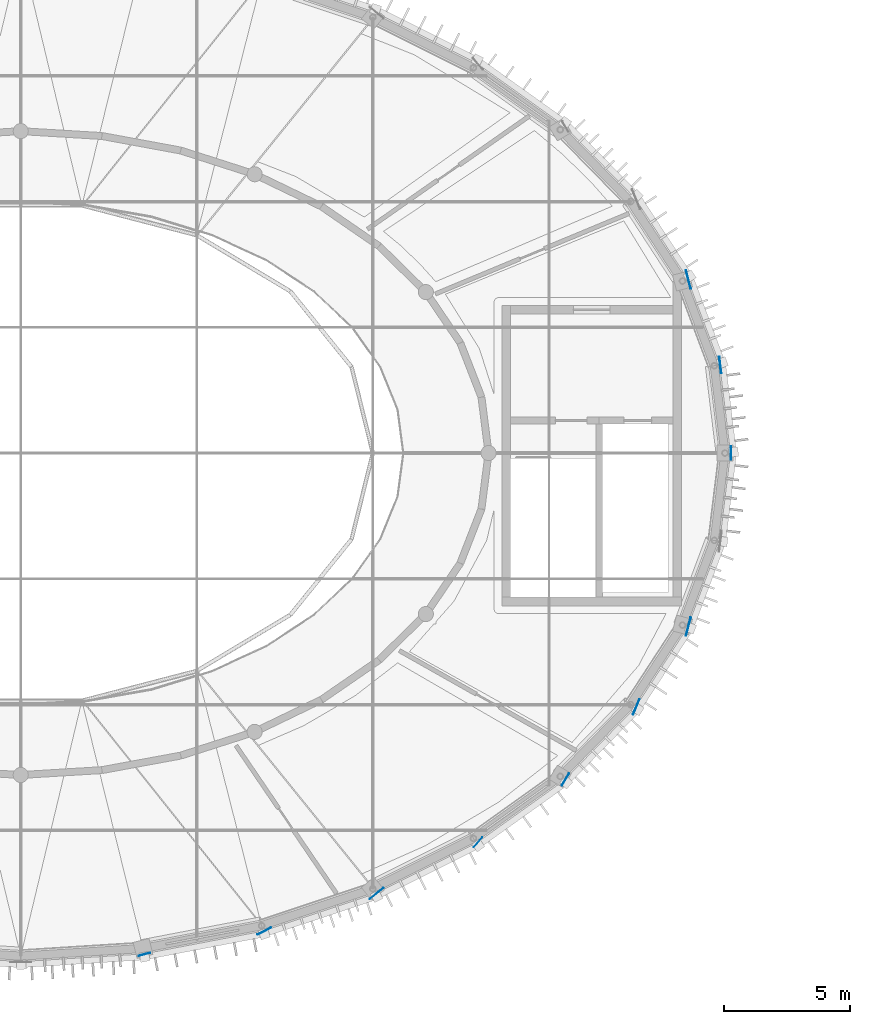
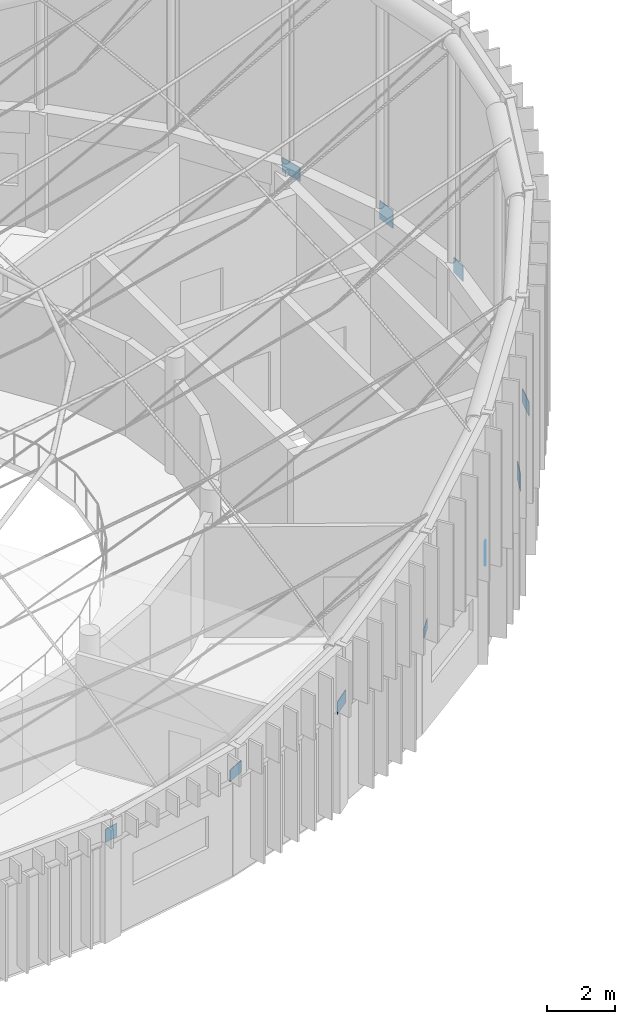
# One storey, part 22 of 36: 10 plates.
"""IFC4 building model written with IfcOpenShell, lengths in metres."""

from ifc_helpers import new_model, si_unit, direction, frame, origin, origin_2d, place, context, subcontext, project, spatial, rectangle, extrude, material, layer, layer_set, type_object, element, save


model = new_model("IFC4")

# Units and contexts
model_context = context("Model", 3, precision=1e-05, world=origin(), true_north=direction((0.0, 1.0)))
body_context = subcontext(model_context, "Body", "Model", "MODEL_VIEW")
ifc_project = project(units=[si_unit("LENGTHUNIT", "METRE"), si_unit("AREAUNIT", "SQUARE_METRE"), si_unit("VOLUMEUNIT", "CUBIC_METRE"), si_unit("PLANEANGLEUNIT", "RADIAN"), si_unit("MASSUNIT", "GRAM", prefix="KILO")], contexts=[model_context])

# Site, building, storey
site_placement = place(None, origin())
site = spatial("IfcSite", under=ifc_project, at=site_placement, CompositionType="ELEMENT")
building_placement = place(site_placement, origin())
building = spatial("IfcBuilding", under=site, at=building_placement, Name="Tarnveldt Headland Concert Hall", CompositionType="ELEMENT")
storey_placement = place(building_placement, frame((0.0, 0.0, 22.800048828125)))
storey = spatial("IfcBuildingStorey", under=building, at=storey_placement, Name="L05", CompositionType="ELEMENT", Elevation=22.800048828125)

# Plates
ifc_material = material(Name="Steel S355", Category="steel")
ifc_layer_1 = layer(ifc_material, 0.02392578125, Name="Steel S355", Category="steel")
ifc_layer_set_1 = layer_set([ifc_layer_1], Name="Steel S355")
plate_type_1 = type_object("IfcPlateType", Name="NP-01", PredefinedType="SHEET", material=ifc_layer_set_1)
for number, where, z_axis, x_axis, name in (
    (1, (111.739990234375, 54.5, 3.52490234375), (0.0, 0.0, 1.0), (0.0, 1.0, 0.0), "Ring-beam cable anchorage plate 1"),
    (2, (105.155029296875, 41.520751953125, 3.52490234375), (0.0, 0.0, 1.0), (0.514140169175, 0.85770617722, 0.0), "Ring-beam cable anchorage plate 33"),
):
    element("IfcPlate", number, at=place(storey_placement, frame(where, z_axis=z_axis, x_axis=x_axis)), inside=storey, type_object=plate_type_1, Name=name, PredefinedType="SHEET", context=body_context, shape_type="SweptSolid", body=[
        extrude(rectangle(XDim=0.550048828125, YDim=0.02392578125, at=origin_2d()), origin(), (0.0, 0.0, 1.0), 0.550048828125),
    ])
ifc_layer_2 = layer(ifc_material, 0.02587890625, Name="Steel S355", Category="steel")
ifc_layer_set_2 = layer_set([ifc_layer_2], Name="Steel S355")
plate_type_2 = type_object("IfcPlateType", Name="NP-02", PredefinedType="SHEET", material=ifc_layer_set_2)
for number, where, z_axis, x_axis, name in (
    (3, (111.312744140625, 58.0029296875, 3.47509765625), (0.0, 0.0, 1.0), (-0.124986912574, 0.992158390422, 0.0), "Ring-beam cable anchorage plate 2"),
    (4, (107.970703125, 44.408447265625, 3.47509765625), (0.0, 0.0, 1.0), (0.381231734269, 0.924479510204, 0.0), "Ring-beam cable anchorage plate 34"),
):
    element("IfcPlate", number, at=place(storey_placement, frame(where, z_axis=z_axis, x_axis=x_axis)), inside=storey, type_object=plate_type_2, Name=name, PredefinedType="SHEET", context=body_context, shape_type="SweptSolid", body=[
        extrude(rectangle(XDim=0.64990234375, YDim=0.02587890625, at=origin_2d()), origin(), (0.0, 0.0, 1.0), 0.64990234375),
    ])
ifc_layer_3 = layer(ifc_material, 0.02490234375, Name="Steel S355", Category="steel")
ifc_layer_set_3 = layer_set([ifc_layer_3], Name="Steel S355")
plate_type_3 = type_object("IfcPlateType", Name="NP-03", PredefinedType="SHEET", material=ifc_layer_set_3)
for number, where, z_axis, x_axis, name in (
    (5, (110.043701171875, 61.40087890625, 3.550048828125), (0.0, 0.0, 1.0), (-0.251562632376, 0.967841021032, 0.0), "Ring-beam cable anchorage plate 3"),
    (6, (110.043701171875, 47.59912109375, 3.550048828125), (0.0, 0.0, 1.0), (0.251562632376, 0.967841021032, 0.0), "Ring-beam cable anchorage plate 35"),
):
    element("IfcPlate", number, at=place(storey_placement, frame(where, z_axis=z_axis, x_axis=x_axis)), inside=storey, type_object=plate_type_3, Name=name, PredefinedType="SHEET", context=body_context, shape_type="SweptSolid", body=[
        extrude(rectangle(XDim=0.75, YDim=0.02490234375, at=origin_2d()), origin(), (0.0, 0.0, 1.0), 0.5),
    ])
ifc_layer_4 = layer(ifc_material, 0.02001953125, Name="Steel S355", Category="steel")
ifc_layer_set_4 = layer_set([ifc_layer_4], Name="Steel S355")
plate_type_4 = type_object("IfcPlateType", Name="NP-05", PredefinedType="SHEET", material=ifc_layer_set_4)
plate_1_placement = place(storey_placement, frame((88.419677734375, 34.57080078125, 3.56005859375), z_axis=(0.0, 0.0, 1.0), x_axis=(0.970842131618, 0.239719743609, 0.0)))
element("IfcPlate", 7, at=plate_1_placement, inside=storey, type_object=plate_type_4, Name="Ring-beam cable anchorage plate 29", PredefinedType="SHEET", context=body_context, shape_type="SweptSolid", body=[
    extrude(rectangle(XDim=0.47998046875, YDim=0.02001953125, at=origin_2d()), origin(), (0.0, 0.0, 1.0), 0.47998046875),
])
ifc_layer_5 = layer(ifc_material, 0.02197265625, Name="Steel S355", Category="steel")
ifc_layer_set_5 = layer_set([ifc_layer_5], Name="Steel S355")
plate_type_5 = type_object("IfcPlateType", Name="NP-06", PredefinedType="SHEET", material=ifc_layer_set_5)
plate_2_placement = place(storey_placement, frame((93.185546875, 35.4921875, 3.590087890625), z_axis=(0.0, 0.0, 1.0), x_axis=(0.891006524188, 0.45399049974, 0.0)))
element("IfcPlate", 8, at=plate_2_placement, inside=storey, type_object=plate_type_5, Name="Ring-beam cable anchorage plate 30", PredefinedType="SHEET", context=body_context, shape_type="SweptSolid", body=[
    extrude(rectangle(XDim=0.60009765625, YDim=0.02197265625, at=origin_2d()), origin(), (0.0, 0.0, 1.0), 0.419921875),
])
ifc_layer_6 = layer(ifc_material, 0.02392578125, Name="Steel S355", Category="steel")
ifc_layer_set_6 = layer_set([ifc_layer_6], Name="Steel S355")
plate_type_6 = type_object("IfcPlateType", Name="NP-07", PredefinedType="SHEET", material=ifc_layer_set_6)
plate_3_placement = place(storey_placement, frame((97.65087890625, 36.992919921875, 3.5751953125), z_axis=(0.0, 0.0, 1.0), x_axis=(0.777694851116, 0.628641963719, 0.0)))
element("IfcPlate", 9, at=plate_3_placement, inside=storey, type_object=plate_type_6, Name="Ring-beam cable anchorage plate 31", PredefinedType="SHEET", context=body_context, shape_type="SweptSolid", body=[
    extrude(rectangle(XDim=0.699951171875, YDim=0.02392578125, at=origin_2d()), origin(), (0.0, 0.0, 1.0), 0.449951171875),
])
ifc_layer_7 = layer(ifc_material, 0.01806640625, Name="Steel S355", Category="steel")
ifc_layer_set_7 = layer_set([ifc_layer_7], Name="Steel S355")
plate_type_7 = type_object("IfcPlateType", Name="NP-08", PredefinedType="SHEET", material=ifc_layer_set_7)
plate_4_placement = place(storey_placement, frame((101.680908203125, 39.0234375, 3.610107421875), z_axis=(0.0, 0.0, 1.0), x_axis=(0.648252804699, 0.761425177676, 0.0)))
element("IfcPlate", 10, at=plate_4_placement, inside=storey, type_object=plate_type_7, Name="Ring-beam cable anchorage plate 32", PredefinedType="SHEET", context=body_context, shape_type="SweptSolid", body=[
    extrude(rectangle(XDim=0.52001953125, YDim=0.01806640625, at=origin_2d()), origin(), (0.0, 0.0, 1.0), 0.3798828125),
])

save(model, "model.ifc")
